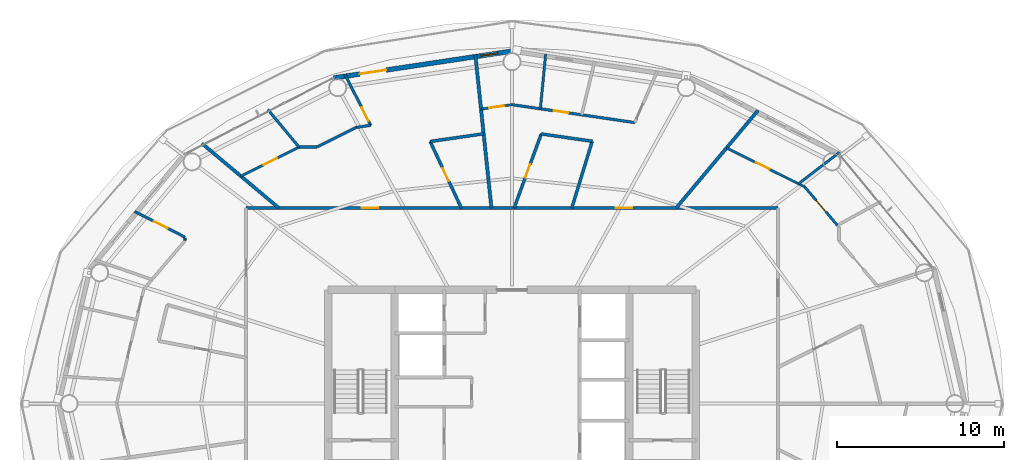
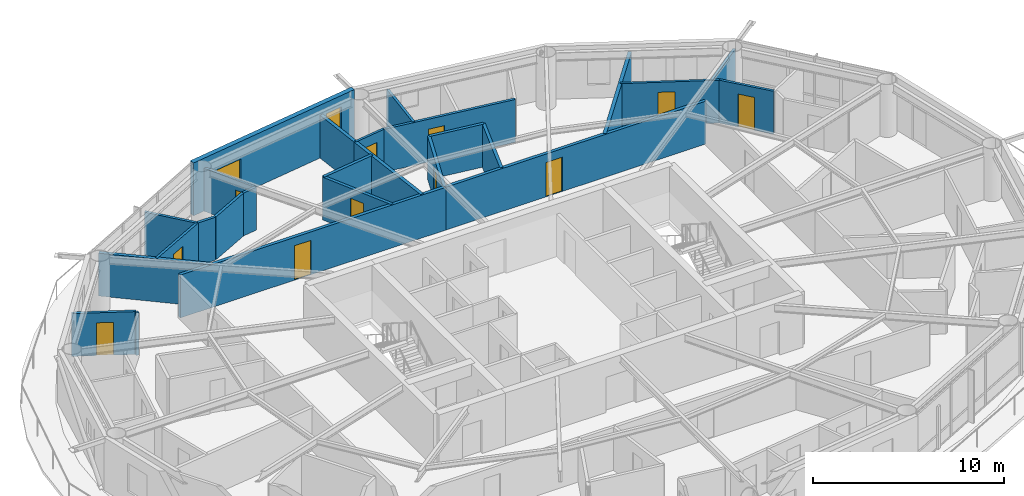
# One storey, part 24 of 28: 26 walls, 12 doors, 1 window, 13 openings.
"""IFC4 building model written with IfcOpenShell, lengths in metres."""

from ifc_helpers import new_model, si_unit, direction, frame, frame_2d, origin, place, context, subcontext, project, spatial, rectangle, extrude, material, layer, layer_set, type_object, element, fill, save


model = new_model("IFC4")

# Units and contexts
model_context = context("Model", 3, precision=1e-05, world=origin(), true_north=direction((0.0, 1.0)))
body_context = subcontext(model_context, "Body", "Model", "MODEL_VIEW")
ifc_project = project(units=[si_unit("LENGTHUNIT", "METRE"), si_unit("AREAUNIT", "SQUARE_METRE"), si_unit("VOLUMEUNIT", "CUBIC_METRE"), si_unit("PLANEANGLEUNIT", "RADIAN"), si_unit("MASSUNIT", "GRAM", prefix="KILO")], contexts=[model_context])

# Site, building, storey
site_placement = place(None, origin())
site = spatial("IfcSite", under=ifc_project, at=site_placement, CompositionType="ELEMENT")
building_placement = place(site_placement, origin())
building = spatial("IfcBuilding", under=site, at=building_placement, Name="Sarneth Arch Tower", CompositionType="ELEMENT")
storey_placement = place(building_placement, frame((0.0, 0.0, 172.199951171875)))
storey = spatial("IfcBuildingStorey", under=building, at=storey_placement, Name="L43", CompositionType="ELEMENT", Elevation=172.199951171875)

# Wall, opening, door
ifc_material_1 = material(Name="Double steel-stud corridor fire wall", Category="steel")
ifc_layer_1 = layer(ifc_material_1, 0.18994140625)
ifc_layer_set_1 = layer_set([ifc_layer_1], Name="Double steel-stud corridor fire wall")
wall_type_1 = type_object("IfcWallType", Name="WALL-CORR-190", PredefinedType="PARTITIONING", material=ifc_layer_set_1)
wall_1_placement = place(storey_placement, frame((32.10009765625, 53.699951171875, 0.0), z_axis=(0.0, 0.0, 1.0), x_axis=(1.0, 0.0, 0.0)))
wall_1 = element("IfcWall", 1, at=wall_1_placement, inside=storey, type_object=wall_type_1, Name="L43 Interior partition W-L43-TP-007", PredefinedType="PARTITIONING", context=body_context, shape_type="SweptSolid", body=[
    extrude(rectangle(XDim=16.060546875, YDim=0.18994140625, at=frame_2d((8.0302734375, 0.0))), origin(), (0.0, 0.0, 1.0), 2.739990234375),
])
opening_1_placement = place(wall_1_placement, frame((6.90673828125, 0.0, 0.0)))
opening_1 = element("IfcOpeningElement", 2, at=opening_1_placement, cuts=wall_1, Name="Opening FD-08", PredefinedType="OPENING", context=body_context, shape_type="SweptSolid", body=[
    extrude(rectangle(XDim=1.0, YDim=2.199951171875, at=frame_2d((0.5, 1.10009765625))), frame((0.0, 0.10498046875, 0.0), z_axis=(0.0, -1.0, 0.0), x_axis=(1.0, 0.0, 0.0)), (0.0, 0.0, 1.0), 0.2099609375),
])
ifc_material_2 = material(Name="Hardwood timber acoustic fire door", Category="wood")
door_type_1 = type_object("IfcDoorType", Name="DR-FD60-1000", OperationType="SINGLE_SWING_LEFT", PredefinedType="DOOR", material=ifc_material_2)
door_1_placement = place(opening_1_placement, origin())
door_1 = element("IfcDoor", 3, at=door_1_placement, inside=storey, type_object=door_type_1, Name="L43 Interior door DR-L43-U3-ENT", OperationType="SINGLE_SWING_LEFT", OverallHeight=2.199951171875, OverallWidth=1.0, PredefinedType="DOOR", context=body_context, shape_type="SweptSolid", body=[
    extrude(rectangle(XDim=1.0, YDim=2.199951171875, at=frame_2d((0.5, 1.10009765625))), frame((0.0, 0.02490234375, 0.0), z_axis=(0.0, -1.0, 0.0), x_axis=(1.0, 0.0, 0.0)), (0.0, 0.0, 1.0), 0.050048828125),
])
fill(opening_1, door_1)

wall_2_placement = place(storey_placement, frame((48.09228515625, 53.699951171875, 0.0), z_axis=(0.0, 0.0, 1.0), x_axis=(1.0, 0.0, 0.0)))
wall_2 = element("IfcWall", 4, at=wall_2_placement, inside=storey, type_object=wall_type_1, Name="L43 Interior partition W-L43-TP-005", PredefinedType="PARTITIONING", context=body_context, shape_type="SweptSolid", body=[
    extrude(rectangle(XDim=15.8076171875, YDim=0.18994140625, at=frame_2d((7.90380859375, 0.0))), origin(), (0.0, 0.0, 1.0), 2.739990234375),
])
opening_2_placement = place(wall_2_placement, frame((6.10888671875, 0.0, 0.0)))
opening_2 = element("IfcOpeningElement", 5, at=opening_2_placement, cuts=wall_2, Name="Opening FD-08", PredefinedType="OPENING", context=body_context, shape_type="SweptSolid", body=[
    extrude(rectangle(XDim=1.0, YDim=2.199951171875, at=frame_2d((0.5, 1.10009765625))), frame((0.0, 0.10498046875, 0.0), z_axis=(0.0, -1.0, 0.0), x_axis=(1.0, 0.0, 0.0)), (0.0, 0.0, 1.0), 0.2099609375),
])
door_2_placement = place(opening_2_placement, origin())
door_2 = element("IfcDoor", 6, at=door_2_placement, inside=storey, type_object=door_type_1, Name="L43 Interior door DR-L43-U2-ENT", OperationType="SINGLE_SWING_RIGHT", OverallHeight=2.199951171875, OverallWidth=1.0, PredefinedType="DOOR", context=body_context, shape_type="SweptSolid", body=[
    extrude(rectangle(XDim=1.0, YDim=2.199951171875, at=frame_2d((0.5, 1.10009765625))), frame((0.0, 0.02490234375, 0.0), z_axis=(0.0, -1.0, 0.0), x_axis=(1.0, 0.0, 0.0)), (0.0, 0.0, 1.0), 0.050048828125),
])
fill(opening_2, door_2)

# Wall, openings, door, window
ifc_material_3 = material(Name="Extruded terracotta rainscreen on Concrete C40/50 backing", Category="masonry")
ifc_layer_2 = layer(ifc_material_3, 0.280029296875)
ifc_layer_set_2 = layer_set([ifc_layer_2], Name="Extruded terracotta rainscreen on Concrete C40/50 backing")
wall_type_2 = type_object("IfcWallType", Name="WALL-EXT-TERRA-280", PredefinedType="SOLIDWALL", material=ifc_layer_set_2)
wall_3_placement = place(storey_placement, frame((48.0, 63.080078125, 0.0), z_axis=(0.0, 0.0, 1.0), x_axis=(-0.988863993413, -0.148822049884, 0.0)))
wall_3 = element("IfcWall", 7, at=wall_3_placement, inside=storey, type_object=wall_type_2, Name="L43 Terracotta perimeter wall 05", PredefinedType="SOLIDWALL", context=body_context, shape_type="SweptSolid", body=[
    extrude(rectangle(XDim=10.782958984375, YDim=0.280029296875, at=frame_2d((5.3916015625, 0.0))), origin(), (0.0, 0.0, 1.0), 3.380126953125),
])
opening_3_placement = place(wall_3_placement, frame((7.601318359375, 0.0, 0.0)))
opening_3 = element("IfcOpeningElement", 8, at=opening_3_placement, cuts=wall_3, Name="Opening BD-1", PredefinedType="OPENING", context=body_context, shape_type="SweptSolid", body=[
    extrude(rectangle(XDim=1.60009765625, YDim=2.25, at=frame_2d((0.800048828125, 1.125))), frame((0.0, 0.14990234375, 0.0), z_axis=(0.0, -1.0, 0.0), x_axis=(1.0, 0.0, 0.0)), (0.0, 0.0, 1.0), 0.300048828125),
])
opening_4_placement = place(wall_3_placement, frame((0.873779296875, 0.0, 0.85009765625)))
opening_4 = element("IfcOpeningElement", 9, at=opening_4_placement, cuts=wall_3, Name="Opening W-11", PredefinedType="OPENING", context=body_context, shape_type="SweptSolid", body=[
    extrude(rectangle(XDim=1.0, YDim=1.800048828125, at=frame_2d((0.5, 0.89990234375))), frame((0.0, 0.14990234375, 0.0), z_axis=(0.0, -1.0, 0.0), x_axis=(1.0, 0.0, 0.0)), (0.0, 0.0, 1.0), 0.300048828125),
])
ifc_material_4 = material(Name="Thermally broken Aluminium 6063-T6 and laminated safety glass", Category="aluminium")
door_type_2 = type_object("IfcDoorType", Name="DR-BALC-GLZ-1600", OperationType="DOUBLE_DOOR_SINGLE_SWING", PredefinedType="DOOR", material=ifc_material_4)
door_3_placement = place(opening_3_placement, origin())
door_3 = element("IfcDoor", 10, at=door_3_placement, inside=storey, type_object=door_type_2, Name="L43 Balcony glazed door 05", OperationType="DOUBLE_DOOR_SINGLE_SWING", OverallHeight=2.25, OverallWidth=1.60009765625, PredefinedType="DOOR", context=body_context, shape_type="SweptSolid", body=[
    extrude(rectangle(XDim=1.60009765625, YDim=2.25, at=frame_2d((0.800048828125, 1.125))), frame((0.0, 0.02490234375, 0.0), z_axis=(0.0, -1.0, 0.0), x_axis=(1.0, 0.0, 0.0)), (0.0, 0.0, 1.0), 0.050048828125),
])
fill(opening_3, door_3)
ifc_material_5 = material(Name="Thermally broken Aluminium 6063-T6 and low-e laminated IGU", Category="aluminium")
window_type = type_object("IfcWindowType", Name="WIN-TWR-1000x1800", PartitioningType="SINGLE_PANEL", PredefinedType="WINDOW", material=ifc_material_5)
window_placement = place(opening_4_placement, origin())
window = element("IfcWindow", 11, at=window_placement, inside=storey, type_object=window_type, Name="L43 Dwelling bedroom window 02", OverallHeight=1.800048828125, OverallWidth=1.0, PartitioningType="SINGLE_PANEL", PredefinedType="WINDOW", context=body_context, shape_type="SweptSolid", body=[
    extrude(rectangle(XDim=1.0, YDim=1.800048828125, at=frame_2d((0.5, 0.89990234375))), frame((0.0, 0.030029296875, 0.0), z_axis=(0.0, -1.0, 0.0), x_axis=(1.0, 0.0, 0.0)), (0.0, 0.0, 1.0), 0.06005859375),
])
fill(opening_4, window)

# Wall, opening, door
ifc_material_6 = material(Name="Apartment internal stud partition", Category="gypsum")
ifc_layer_3 = layer(ifc_material_6, 0.139892578125)
ifc_layer_set_3 = layer_set([ifc_layer_3], Name="Apartment internal stud partition")
wall_type_3 = type_object("IfcWallType", Name="WALL-PART-140", PredefinedType="PARTITIONING", material=ifc_layer_set_3)
wall_4_placement = place(storey_placement, frame((60.8310546875, 57.291259765625, 0.0), z_axis=(0.0, 0.0, 1.0), x_axis=(0.894950159382, -0.446166126261, 0.0)))
wall_4 = element("IfcWall", 12, at=wall_4_placement, inside=storey, type_object=wall_type_3, Name="L43 Interior partition W-L43-TP-029", PredefinedType="PARTITIONING", context=body_context, shape_type="SweptSolid", body=[
    extrude(rectangle(XDim=5.222412109375, YDim=0.139892578125, at=frame_2d((2.611328125, 0.0))), origin(), (0.0, 0.0, 1.0), 2.739990234375),
])
opening_5_placement = place(wall_4_placement, frame((1.97119140625, 0.0, 0.0)))
opening_5 = element("IfcOpeningElement", 13, at=opening_5_placement, cuts=wall_4, Name="Opening ID-01", PredefinedType="OPENING", context=body_context, shape_type="SweptSolid", body=[
    extrude(rectangle(XDim=0.89990234375, YDim=2.10009765625, at=frame_2d((0.449951171875, 1.050048828125))), frame((0.0, 0.079833984375, 0.0), z_axis=(0.0, -1.0, 0.0), x_axis=(1.0, 0.0, 0.0)), (0.0, 0.0, 1.0), 0.159912109375),
])
ifc_material_7 = material(Name="Engineered hardwood flush door", Category="wood")
door_type_3 = type_object("IfcDoorType", Name="DR-INT-900", OperationType="SINGLE_SWING_LEFT", PredefinedType="DOOR", material=ifc_material_7)
door_4_placement = place(opening_5_placement, origin())
door_4 = element("IfcDoor", 14, at=door_4_placement, inside=storey, type_object=door_type_3, Name="L43 Interior door DR-L43-U1-BED2", OperationType="SINGLE_SWING_LEFT", OverallHeight=2.10009765625, OverallWidth=0.89990234375, PredefinedType="DOOR", context=body_context, shape_type="SweptSolid", body=[
    extrude(rectangle(XDim=0.89990234375, YDim=2.10009765625, at=frame_2d((0.449951171875, 1.050048828125))), frame((0.0, 0.02490234375, 0.0), z_axis=(0.0, -1.0, 0.0), x_axis=(1.0, 0.0, 0.0)), (0.0, 0.0, 1.0), 0.050048828125),
])
fill(opening_5, door_4)

wall_5_placement = place(storey_placement, frame((46.149169921875, 59.609375, 0.0), z_axis=(0.0, 0.0, 1.0), x_axis=(0.989487501707, 0.144618408111, 0.0)))
wall_5 = element("IfcWall", 15, at=wall_5_placement, inside=storey, type_object=wall_type_3, Name="L43 Interior partition W-L43-TP-043", PredefinedType="PARTITIONING", context=body_context, shape_type="SweptSolid", body=[
    extrude(rectangle(XDim=1.87060546875, YDim=0.139892578125, at=frame_2d((0.935302734375, 0.0))), origin(), (0.0, 0.0, 1.0), 2.739990234375),
])
opening_6_placement = place(wall_5_placement, frame((0.485107421875, 0.0, 0.0)))
opening_6 = element("IfcOpeningElement", 16, at=opening_6_placement, cuts=wall_5, Name="Opening ID-01", PredefinedType="OPENING", context=body_context, shape_type="SweptSolid", body=[
    extrude(rectangle(XDim=0.89990234375, YDim=2.10009765625, at=frame_2d((0.449951171875, 1.050048828125))), frame((0.0, 0.079833984375, 0.0), z_axis=(0.0, -1.0, 0.0), x_axis=(1.0, 0.0, 0.0)), (0.0, 0.0, 1.0), 0.159912109375),
])
door_5_placement = place(opening_6_placement, origin())
door_5 = element("IfcDoor", 17, at=door_5_placement, inside=storey, type_object=door_type_3, Name="L43 Interior door DR-L43-U2-BED2", OperationType="SINGLE_SWING_LEFT", OverallHeight=2.10009765625, OverallWidth=0.89990234375, PredefinedType="DOOR", context=body_context, shape_type="SweptSolid", body=[
    extrude(rectangle(XDim=0.89990234375, YDim=2.10009765625, at=frame_2d((0.449951171875, 1.050048828125))), frame((0.0, 0.02490234375, 0.0), z_axis=(0.0, -1.0, 0.0), x_axis=(1.0, 0.0, 0.0)), (0.0, 0.0, 1.0), 0.050048828125),
])
fill(opening_6, door_5)

ifc_material_8 = material(Name="Acoustic gypsum stud partition", Category="gypsum")
ifc_layer_4 = layer(ifc_material_8, 0.14990234375)
ifc_layer_set_4 = layer_set([ifc_layer_4], Name="Acoustic gypsum stud partition")
wall_type_4 = type_object("IfcWallType", Name="WALL-PART-150", PredefinedType="PARTITIONING", material=ifc_layer_set_4)
wall_6_placement = place(storey_placement, frame((31.786376953125, 55.60498046875, 0.0), z_axis=(0.0, 0.0, 1.0), x_axis=(0.895458573673, 0.445144856013, 0.0)))
wall_6 = element("IfcWall", 18, at=wall_6_placement, inside=storey, type_object=wall_type_4, Name="L43 Interior partition W-L43-TP-056", PredefinedType="PARTITIONING", context=body_context, shape_type="SweptSolid", body=[
    extrude(rectangle(XDim=3.92041015625, YDim=0.14990234375, at=frame_2d((1.960205078125, 0.0))), origin(), (0.0, 0.0, 1.0), 2.739990234375),
])
opening_7_placement = place(wall_6_placement, frame((1.51025390625, 0.0, 0.0)))
opening_7 = element("IfcOpeningElement", 19, at=opening_7_placement, cuts=wall_6, Name="Opening ID-01", PredefinedType="OPENING", context=body_context, shape_type="SweptSolid", body=[
    extrude(rectangle(XDim=0.89990234375, YDim=2.10009765625, at=frame_2d((0.449951171875, 1.050048828125))), frame((0.0, 0.0849609375, 0.0), z_axis=(0.0, -1.0, 0.0), x_axis=(1.0, 0.0, 0.0)), (0.0, 0.0, 1.0), 0.169921875),
])
door_6_placement = place(opening_7_placement, origin())
door_6 = element("IfcDoor", 20, at=door_6_placement, inside=storey, type_object=door_type_3, Name="L43 Interior door DR-L43-U3-BED1", OperationType="SINGLE_SWING_RIGHT", OverallHeight=2.10009765625, OverallWidth=0.89990234375, PredefinedType="DOOR", context=body_context, shape_type="SweptSolid", body=[
    extrude(rectangle(XDim=0.89990234375, YDim=2.10009765625, at=frame_2d((0.449951171875, 1.050048828125))), frame((0.0, 0.02490234375, 0.0), z_axis=(0.0, -1.0, 0.0), x_axis=(1.0, 0.0, 0.0)), (0.0, 0.0, 1.0), 0.050048828125),
])
fill(opening_7, door_6)

# Walls
wall_7_placement = place(storey_placement, frame((49.69775390625, 59.631591796875, 0.0), z_axis=(0.0, 0.0, 1.0), x_axis=(0.09582014047, 0.995398664195, 0.0)))
element("IfcWall", 21, at=wall_7_placement, inside=storey, type_object=wall_type_4, Name="L43 Interior partition W-L43-TP-048", PredefinedType="PARTITIONING", context=body_context, shape_type="SweptSolid", body=[
    extrude(rectangle(XDim=3.28173828125, YDim=0.14990234375, at=frame_2d((1.640869140625, 0.0))), origin(), (0.0, 0.0, 1.0), 2.739990234375),
])
wall_8_placement = place(storey_placement, frame((67.5810546875, 57.025146484375, 0.0), z_axis=(0.0, 0.0, 1.0), x_axis=(-0.793314658032, -0.608811837395, 0.0)))
element("IfcWall", 22, at=wall_8_placement, inside=storey, type_object=wall_type_4, Name="L43 Interior partition W-L43-TP-035", PredefinedType="PARTITIONING", context=body_context, shape_type="SweptSolid", body=[
    extrude(rectangle(XDim=3.085693359375, YDim=0.14990234375, at=frame_2d((1.54296875, 0.0))), origin(), (0.0, 0.0, 1.0), 2.739990234375),
])

# Wall, opening, door
wall_9_placement = place(storey_placement, frame((67.458740234375, 52.663818359375, 0.0), z_axis=(0.0, 0.0, 1.0), x_axis=(-0.647859881114, 0.761759525338, 0.0)))
wall_9 = element("IfcWall", 23, at=wall_9_placement, inside=storey, type_object=wall_type_4, Name="L43 Interior partition W-L43-TP-027", PredefinedType="PARTITIONING", context=body_context, shape_type="SweptSolid", body=[
    extrude(rectangle(XDim=3.015869140625, YDim=0.14990234375, at=frame_2d((1.5078125, 0.0))), origin(), (0.0, 0.0, 1.0), 2.739990234375),
])
opening_8_placement = place(wall_9_placement, frame((1.05810546875, 0.0, 0.0)))
opening_8 = element("IfcOpeningElement", 24, at=opening_8_placement, cuts=wall_9, Name="Opening ID-01", PredefinedType="OPENING", context=body_context, shape_type="SweptSolid", body=[
    extrude(rectangle(XDim=0.89990234375, YDim=2.10009765625, at=frame_2d((0.449951171875, 1.050048828125))), frame((0.0, 0.0849609375, 0.0), z_axis=(0.0, -1.0, 0.0), x_axis=(1.0, 0.0, 0.0)), (0.0, 0.0, 1.0), 0.169921875),
])
door_7_placement = place(opening_8_placement, origin())
door_7 = element("IfcDoor", 25, at=door_7_placement, inside=storey, type_object=door_type_3, Name="L43 Interior door DR-L43-U1-BED1", OperationType="SINGLE_SWING_LEFT", OverallHeight=2.10009765625, OverallWidth=0.89990234375, PredefinedType="DOOR", context=body_context, shape_type="SweptSolid", body=[
    extrude(rectangle(XDim=0.89990234375, YDim=2.10009765625, at=frame_2d((0.449951171875, 1.050048828125))), frame((0.0, 0.02490234375, 0.0), z_axis=(0.0, -1.0, 0.0), x_axis=(1.0, 0.0, 0.0)), (0.0, 0.0, 1.0), 0.050048828125),
])
fill(opening_8, door_7)

ifc_material_9 = material(Name="Kitchen wet service chase wall", Category="gypsum")
ifc_layer_5 = layer(ifc_material_9, 0.159912109375)
ifc_layer_set_5 = layer_set([ifc_layer_5], Name="Kitchen wet service chase wall")
wall_type_5 = type_object("IfcWallType", Name="WALL-PLUMB-160", PredefinedType="PLUMBINGWALL", material=ifc_layer_set_5)
wall_10_placement = place(storey_placement, frame((38.006591796875, 61.69140625, 0.0), z_axis=(0.0, 0.0, 1.0), x_axis=(0.452578737028, -0.891724445549, 0.0)))
wall_10 = element("IfcWall", 26, at=wall_10_placement, inside=storey, type_object=wall_type_5, Name="L43 Interior partition W-L43-TP-050", PredefinedType="PLUMBINGWALL", context=body_context, shape_type="SweptSolid", body=[
    extrude(rectangle(XDim=3.416748046875, YDim=0.159912109375, at=frame_2d((1.70849609375, 0.0))), origin(), (0.0, 0.0, 1.0), 2.739990234375),
])
opening_9_placement = place(wall_10_placement, frame((2.21826171875, 0.0, 0.0)))
opening_9 = element("IfcOpeningElement", 27, at=opening_9_placement, cuts=wall_10, Name="Opening ID-01", PredefinedType="OPENING", context=body_context, shape_type="SweptSolid", body=[
    extrude(rectangle(XDim=0.89990234375, YDim=2.10009765625, at=frame_2d((0.449951171875, 1.050048828125))), frame((0.0, 0.08984375, 0.0), z_axis=(0.0, -1.0, 0.0), x_axis=(1.0, 0.0, 0.0)), (0.0, 0.0, 1.0), 0.179931640625),
])
door_8_placement = place(opening_9_placement, origin())
door_8 = element("IfcDoor", 28, at=door_8_placement, inside=storey, type_object=door_type_3, Name="L43 Interior door DR-L43-U3-KIT", OperationType="SINGLE_SWING_RIGHT", OverallHeight=2.10009765625, OverallWidth=0.89990234375, PredefinedType="DOOR", context=body_context, shape_type="SweptSolid", body=[
    extrude(rectangle(XDim=0.89990234375, YDim=2.10009765625, at=frame_2d((0.449951171875, 1.050048828125))), frame((0.0, 0.02490234375, 0.0), z_axis=(0.0, -1.0, 0.0), x_axis=(1.0, 0.0, 0.0)), (0.0, 0.0, 1.0), 0.050048828125),
])
fill(opening_9, door_8)

wall_11_placement = place(storey_placement, frame((28.449951171875, 51.952392578125, 0.0), z_axis=(0.0, 0.0, 1.0), x_axis=(-0.891148759763, 0.453711238535, 0.0)))
wall_11 = element("IfcWall", 29, at=wall_11_placement, inside=storey, type_object=wall_type_5, Name="L43 Interior partition W-L43-TP-064", PredefinedType="PLUMBINGWALL", context=body_context, shape_type="SweptSolid", body=[
    extrude(rectangle(XDim=3.37548828125, YDim=0.159912109375, at=frame_2d((1.687744140625, 0.0))), origin(), (0.0, 0.0, 1.0), 2.739990234375),
])
opening_10_placement = place(wall_11_placement, frame((1.177734375, 0.0, 0.0)))
opening_10 = element("IfcOpeningElement", 30, at=opening_10_placement, cuts=wall_11, Name="Opening ID-01", PredefinedType="OPENING", context=body_context, shape_type="SweptSolid", body=[
    extrude(rectangle(XDim=0.89990234375, YDim=2.10009765625, at=frame_2d((0.449951171875, 1.050048828125))), frame((0.0, 0.08984375, 0.0), z_axis=(0.0, -1.0, 0.0), x_axis=(1.0, 0.0, 0.0)), (0.0, 0.0, 1.0), 0.179931640625),
])
door_9_placement = place(opening_10_placement, origin())
door_9 = element("IfcDoor", 31, at=door_9_placement, inside=storey, type_object=door_type_3, Name="L43 Interior door DR-L43-U4-KIT", OperationType="SINGLE_SWING_RIGHT", OverallHeight=2.10009765625, OverallWidth=0.89990234375, PredefinedType="DOOR", context=body_context, shape_type="SweptSolid", body=[
    extrude(rectangle(XDim=0.89990234375, YDim=2.10009765625, at=frame_2d((0.449951171875, 1.050048828125))), frame((0.0, 0.02490234375, 0.0), z_axis=(0.0, -1.0, 0.0), x_axis=(1.0, 0.0, 0.0)), (0.0, 0.0, 1.0), 0.050048828125),
])
fill(opening_10, door_9)

wall_12_placement = place(storey_placement, frame((55.344482421875, 58.8056640625, 0.0), z_axis=(0.0, 0.0, 1.0), x_axis=(-0.989467614554, 0.144754411849, 0.0)))
wall_12 = element("IfcWall", 32, at=wall_12_placement, inside=storey, type_object=wall_type_5, Name="L43 Interior partition W-L43-TP-038", PredefinedType="PLUMBINGWALL", context=body_context, shape_type="SweptSolid", body=[
    extrude(rectangle(XDim=7.422607421875, YDim=0.159912109375, at=frame_2d((3.71142578125, 0.0))), origin(), (0.0, 0.0, 1.0), 2.739990234375),
])
opening_11_placement = place(wall_12_placement, frame((4.007568359375, 0.0, 0.0)))
opening_11 = element("IfcOpeningElement", 33, at=opening_11_placement, cuts=wall_12, Name="Opening ID-01", PredefinedType="OPENING", context=body_context, shape_type="SweptSolid", body=[
    extrude(rectangle(XDim=0.89990234375, YDim=2.10009765625, at=frame_2d((0.449951171875, 1.050048828125))), frame((0.0, 0.08984375, 0.0), z_axis=(0.0, -1.0, 0.0), x_axis=(1.0, 0.0, 0.0)), (0.0, 0.0, 1.0), 0.179931640625),
])
door_10_placement = place(opening_11_placement, origin())
door_10 = element("IfcDoor", 34, at=door_10_placement, inside=storey, type_object=door_type_3, Name="L43 Interior door DR-L43-U2-BED1", OperationType="SINGLE_SWING_RIGHT", OverallHeight=2.10009765625, OverallWidth=0.89990234375, PredefinedType="DOOR", context=body_context, shape_type="SweptSolid", body=[
    extrude(rectangle(XDim=0.89990234375, YDim=2.10009765625, at=frame_2d((0.449951171875, 1.050048828125))), frame((0.0, 0.02490234375, 0.0), z_axis=(0.0, -1.0, 0.0), x_axis=(1.0, 0.0, 0.0)), (0.0, 0.0, 1.0), 0.050048828125),
])
fill(opening_11, door_10)

# Walls
wall_13_placement = place(storey_placement, frame((35.264404296875, 57.3388671875, 0.0), z_axis=(0.0, 0.0, 1.0), x_axis=(-0.638753509407, 0.769411433643, 0.0)))
element("IfcWall", 35, at=wall_13_placement, inside=storey, type_object=wall_type_5, Name="L43 Interior partition W-L43-TP-058", PredefinedType="PLUMBINGWALL", context=body_context, shape_type="SweptSolid", body=[
    extrude(rectangle(XDim=2.92236328125, YDim=0.159912109375, at=frame_2d((1.461181640625, 0.0))), origin(), (0.0, 0.0, 1.0), 2.739990234375),
])
wall_14_placement = place(storey_placement, frame((38.69482421875, 58.51904296875, 0.0), z_axis=(0.0, 0.0, 1.0), x_axis=(-0.895041110332, -0.445983644112, 0.0)))
element("IfcWall", 36, at=wall_14_placement, inside=storey, type_object=wall_type_5, Name="L43 Interior partition W-L43-TP-052", PredefinedType="PLUMBINGWALL", context=body_context, shape_type="SweptSolid", body=[
    extrude(rectangle(XDim=2.62109375, YDim=0.159912109375, at=frame_2d((1.310546875, 0.0))), origin(), (0.0, 0.0, 1.0), 2.739990234375),
])
wall_15_placement = place(storey_placement, frame((36.348876953125, 57.35009765625, 0.0), z_axis=(0.0, 0.0, 1.0), x_axis=(-1.0, 0.0, 0.0)))
element("IfcWall", 37, at=wall_15_placement, inside=storey, type_object=wall_type_5, Name="L43 Interior partition W-L43-TP-053", PredefinedType="PLUMBINGWALL", context=body_context, shape_type="SweptSolid", body=[
    extrude(rectangle(XDim=1.062255859375, YDim=0.159912109375, at=frame_2d((0.53125, 0.0))), origin(), (0.0, 0.0, 1.0), 2.739990234375),
])
wall_16_placement = place(storey_placement, frame((39.552978515625, 58.64453125, 0.0), z_axis=(0.0, 0.0, 1.0), x_axis=(-0.989476797437, -0.144691628416, 0.0)))
element("IfcWall", 38, at=wall_16_placement, inside=storey, type_object=wall_type_5, Name="L43 Interior partition W-L43-TP-051", PredefinedType="PLUMBINGWALL", context=body_context, shape_type="SweptSolid", body=[
    extrude(rectangle(XDim=0.8671875, YDim=0.159912109375, at=frame_2d((0.43359375, 0.0))), origin(), (0.0, 0.0, 1.0), 2.739990234375),
])
wall_17_placement = place(storey_placement, frame((28.449951171875, 51.784423828125, 0.0), z_axis=(0.0, 0.0, 1.0), x_axis=(0.0, 1.0, 0.0)))
element("IfcWall", 39, at=wall_17_placement, inside=storey, type_object=wall_type_5, Name="L43 Interior partition W-L43-TP-063", PredefinedType="PLUMBINGWALL", context=body_context, shape_type="SweptSolid", body=[
    extrude(rectangle(XDim=0.108154296875, YDim=0.159912109375, at=frame_2d((0.05419921875, 0.0))), origin(), (0.0, 0.0, 1.0), 2.739990234375),
])

# Wall, opening, door
ifc_material_10 = material(Name="Moisture-resistant plumbing chase wall", Category="gypsum")
ifc_layer_6 = layer(ifc_material_10, 0.179931640625)
ifc_layer_set_6 = layer_set([ifc_layer_6], Name="Moisture-resistant plumbing chase wall")
wall_type_6 = type_object("IfcWallType", Name="WALL-PLUMB-180", PredefinedType="PLUMBINGWALL", material=ifc_layer_set_6)
wall_18_placement = place(storey_placement, frame((48.12646484375, 53.699951171875, 0.0), z_axis=(0.0, 0.0, 1.0), x_axis=(0.344546621301, 0.938769207926, 0.0)))
wall_18 = element("IfcWall", 40, at=wall_18_placement, inside=storey, type_object=wall_type_6, Name="L43 Interior partition W-L43-TP-039", PredefinedType="PLUMBINGWALL", context=body_context, shape_type="SweptSolid", body=[
    extrude(rectangle(XDim=4.717041015625, YDim=0.179931640625, at=frame_2d((2.3583984375, 0.0))), origin(), (0.0, 0.0, 1.0), 2.739990234375),
])
opening_12_placement = place(wall_18_placement, frame((1.93359375, 0.0, 0.0)))
opening_12 = element("IfcOpeningElement", 41, at=opening_12_placement, cuts=wall_18, Name="Opening ID-02", PredefinedType="OPENING", context=body_context, shape_type="SweptSolid", body=[
    extrude(rectangle(XDim=0.85009765625, YDim=2.10009765625, at=frame_2d((0.425048828125, 1.050048828125))), frame((0.0, 0.099853515625, 0.0), z_axis=(0.0, -1.0, 0.0), x_axis=(1.0, 0.0, 0.0)), (0.0, 0.0, 1.0), 0.199951171875),
])
ifc_material_11 = material(Name="Moisture-resistant bathroom timber door", Category="wood")
door_type_4 = type_object("IfcDoorType", Name="DR-INT-850", OperationType="SINGLE_SWING_RIGHT", PredefinedType="DOOR", material=ifc_material_11)
door_11_placement = place(opening_12_placement, origin())
door_11 = element("IfcDoor", 42, at=door_11_placement, inside=storey, type_object=door_type_4, Name="L43 Interior door DR-L43-U2-BATH", OperationType="SINGLE_SWING_LEFT", OverallHeight=2.10009765625, OverallWidth=0.85009765625, PredefinedType="DOOR", context=body_context, shape_type="SweptSolid", body=[
    extrude(rectangle(XDim=0.85009765625, YDim=2.10009765625, at=frame_2d((0.425048828125, 1.050048828125))), frame((0.0, 0.02490234375, 0.0), z_axis=(0.0, -1.0, 0.0), x_axis=(1.0, 0.0, 0.0)), (0.0, 0.0, 1.0), 0.050048828125),
])
fill(opening_12, door_11)

wall_19_placement = place(storey_placement, frame((43.1064453125, 57.676513671875, 0.0), z_axis=(0.0, 0.0, 1.0), x_axis=(0.424616155392, -0.905373470221, 0.0)))
wall_19 = element("IfcWall", 43, at=wall_19_placement, inside=storey, type_object=wall_type_6, Name="L43 Interior partition W-L43-TP-055", PredefinedType="PLUMBINGWALL", context=body_context, shape_type="SweptSolid", body=[
    extrude(rectangle(XDim=4.39208984375, YDim=0.179931640625, at=frame_2d((2.196044921875, 0.0))), origin(), (0.0, 0.0, 1.0), 2.739990234375),
])
opening_13_placement = place(wall_19_placement, frame((1.77099609375, 0.0, 0.0)))
opening_13 = element("IfcOpeningElement", 44, at=opening_13_placement, cuts=wall_19, Name="Opening ID-02", PredefinedType="OPENING", context=body_context, shape_type="SweptSolid", body=[
    extrude(rectangle(XDim=0.85009765625, YDim=2.10009765625, at=frame_2d((0.425048828125, 1.050048828125))), frame((0.0, 0.099853515625, 0.0), z_axis=(0.0, -1.0, 0.0), x_axis=(1.0, 0.0, 0.0)), (0.0, 0.0, 1.0), 0.199951171875),
])
door_12_placement = place(opening_13_placement, origin())
door_12 = element("IfcDoor", 45, at=door_12_placement, inside=storey, type_object=door_type_4, Name="L43 Interior door DR-L43-U3-BATH", OperationType="SINGLE_SWING_RIGHT", OverallHeight=2.10009765625, OverallWidth=0.85009765625, PredefinedType="DOOR", context=body_context, shape_type="SweptSolid", body=[
    extrude(rectangle(XDim=0.85009765625, YDim=2.10009765625, at=frame_2d((0.425048828125, 1.050048828125))), frame((0.0, 0.02490234375, 0.0), z_axis=(0.0, -1.0, 0.0), x_axis=(1.0, 0.0, 0.0)), (0.0, 0.0, 1.0), 0.050048828125),
])
fill(opening_13, door_12)

# Walls
wall_20_placement = place(storey_placement, frame((52.797119140625, 57.6904296875, 0.0), z_axis=(0.0, 0.0, 1.0), x_axis=(-0.29241622154, -0.956291144673, 0.0)))
element("IfcWall", 46, at=wall_20_placement, inside=storey, type_object=wall_type_6, Name="L43 Interior partition W-L43-TP-041", PredefinedType="PLUMBINGWALL", context=body_context, shape_type="SweptSolid", body=[
    extrude(rectangle(XDim=4.1728515625, YDim=0.179931640625, at=frame_2d((2.08642578125, 0.0))), origin(), (0.0, 0.0, 1.0), 2.739990234375),
])
wall_21_placement = place(storey_placement, frame((46.303955078125, 58.13623046875, 0.0), z_axis=(0.0, 0.0, 1.0), x_axis=(-0.989822126592, -0.142310075924, 0.0)))
element("IfcWall", 47, at=wall_21_placement, inside=storey, type_object=wall_type_6, Name="L43 Interior partition W-L43-TP-054", PredefinedType="PLUMBINGWALL", context=body_context, shape_type="SweptSolid", body=[
    extrude(rectangle(XDim=3.23046875, YDim=0.179931640625, at=frame_2d((1.615234375, 0.0))), origin(), (0.0, 0.0, 1.0), 2.739990234375),
])
wall_22_placement = place(storey_placement, frame((49.751708984375, 58.128173828125, 0.0), z_axis=(0.0, 0.0, 1.0), x_axis=(0.989826923232, -0.142276709424, 0.0)))
element("IfcWall", 48, at=wall_22_placement, inside=storey, type_object=wall_type_6, Name="L43 Interior partition W-L43-TP-040", PredefinedType="PLUMBINGWALL", context=body_context, shape_type="SweptSolid", body=[
    extrude(rectangle(XDim=3.07666015625, YDim=0.179931640625, at=frame_2d((1.538330078125, 0.0))), origin(), (0.0, 0.0, 1.0), 2.739990234375),
])
ifc_material_12 = material(Name="Double steel-stud acoustic drywall", Category="steel")
ifc_layer_7 = layer(ifc_material_12, 0.199951171875)
ifc_layer_set_7 = layer_set([ifc_layer_7], Name="Double steel-stud acoustic drywall")
wall_type_7 = type_object("IfcWallType", Name="WALL-UNIT-200", PredefinedType="PARTITIONING", material=ifc_layer_set_7)
wall_23_placement = place(storey_placement, frame((62.710693359375, 59.531494140625, 0.0), z_axis=(0.0, 0.0, 1.0), x_axis=(-0.642792619699, -0.766040239192, 0.0)))
element("IfcWall", 49, at=wall_23_placement, inside=storey, type_object=wall_type_7, Name="L43 Interior partition W-L43-TP-030", PredefinedType="PARTITIONING", context=body_context, shape_type="SweptSolid", body=[
    extrude(rectangle(XDim=7.612548828125, YDim=0.199951171875, at=frame_2d((3.80615234375, 0.0))), origin(), (0.0, 0.0, 1.0), 2.739990234375),
])
wall_24_placement = place(storey_placement, frame((46.770263671875, 53.699951171875, 0.0), z_axis=(0.0, 0.0, 1.0), x_axis=(-0.104526512024, 0.99452210045, 0.0)))
element("IfcWall", 50, at=wall_24_placement, inside=storey, type_object=wall_type_7, Name="L43 Interior partition W-L43-TP-046", PredefinedType="PARTITIONING", context=body_context, shape_type="SweptSolid", body=[
    extrude(rectangle(XDim=5.94189453125, YDim=0.199951171875, at=frame_2d((2.970947265625, 0.0))), origin(), (0.0, 0.0, 1.0), 2.739990234375),
])
wall_25_placement = place(storey_placement, frame((45.806396484375, 62.87109375, 0.0), z_axis=(0.0, 0.0, 1.0), x_axis=(0.104531289483, -0.994521598317, 0.0)))
element("IfcWall", 51, at=wall_25_placement, inside=storey, type_object=wall_type_7, Name="L43 Interior partition W-L43-TP-049", PredefinedType="PARTITIONING", context=body_context, shape_type="SweptSolid", body=[
    extrude(rectangle(XDim=3.311767578125, YDim=0.199951171875, at=frame_2d((1.65576171875, 0.0))), origin(), (0.0, 0.0, 1.0), 2.739990234375),
])
wall_26_placement = place(storey_placement, frame((34.056396484375, 53.699951171875, 0.0), z_axis=(0.0, 0.0, 1.0), x_axis=(-0.766037176398, 0.642796269728, 0.0)))
element("IfcWall", 52, at=wall_26_placement, inside=storey, type_object=wall_type_7, Name="L43 Interior partition W-L43-TP-059", PredefinedType="PARTITIONING", context=body_context, shape_type="SweptSolid", body=[
    extrude(rectangle(XDim=6.00439453125, YDim=0.199951171875, at=frame_2d((3.002197265625, 0.0))), origin(), (0.0, 0.0, 1.0), 2.739990234375),
])

save(model, "model.ifc")
